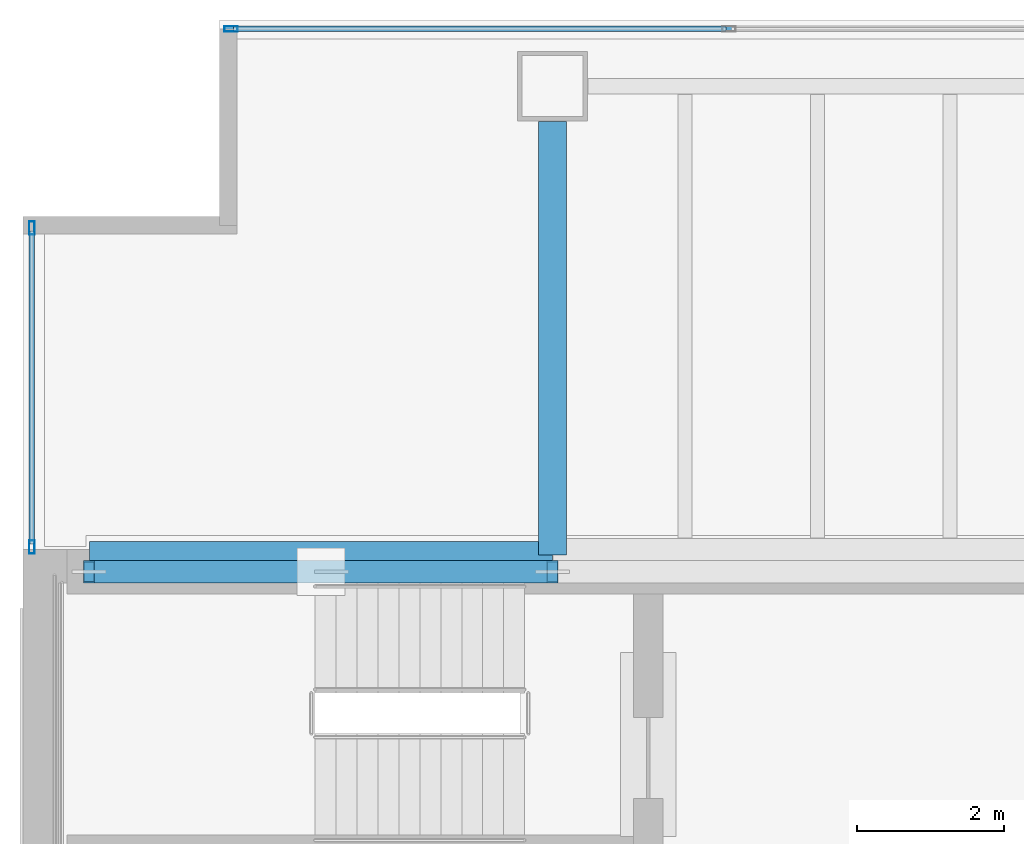
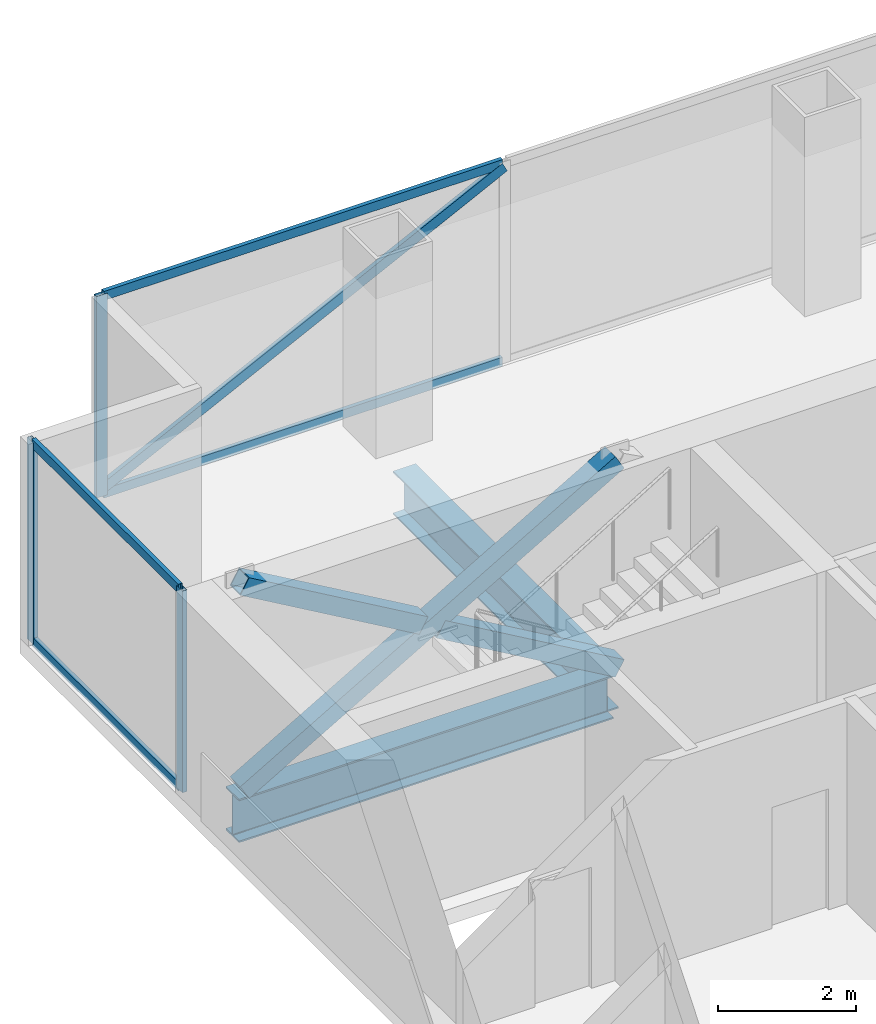
# One storey, part 16 of 23: 11 members, 2 beams, 2 elements without a shape of their own.
"""IFC4 building model written with IfcOpenShell, lengths in metres."""

from ifc_helpers import new_model, si_unit, direction, frame, origin, origin_2d, place, context, subcontext, project, spatial, hollow_rectangle, i_section, extrude, material, material_profile, profile_set, type_object, element, aggregate, save


model = new_model("IFC4")

# Units and contexts
model_context = context("Model", 3, precision=1e-05, world=origin(), true_north=direction((0.0, 1.0)))
body_context = subcontext(model_context, "Body", "Model", "MODEL_VIEW")
ifc_project = project(units=[si_unit("LENGTHUNIT", "METRE"), si_unit("AREAUNIT", "SQUARE_METRE"), si_unit("VOLUMEUNIT", "CUBIC_METRE"), si_unit("PLANEANGLEUNIT", "RADIAN"), si_unit("MASSUNIT", "GRAM", prefix="KILO")], contexts=[model_context])

# Site, building, storey
site_placement = place(None, origin())
site = spatial("IfcSite", under=ifc_project, at=site_placement, CompositionType="ELEMENT")
building_placement = place(site_placement, origin())
building = spatial("IfcBuilding", under=site, at=building_placement, Name="Cobrela Telecom Tower", CompositionType="ELEMENT")
storey_placement = place(building_placement, frame((0.0, 0.0, 102.199951171875)))
storey = spatial("IfcBuildingStorey", under=building, at=storey_placement, Name="L25", CompositionType="ELEMENT", Elevation=102.199951171875)

# Beams
ifc_material_1 = material(Name="Steel ASTM A992 Grade 50", Category="steel")
ifc_material_profile_1 = material_profile(ifc_material_1, i_section(OverallWidth=0.381103515625, OverallDepth=0.77197265625, WebThickness=0.0166015625, FlangeThickness=0.027099609375, FilletRadius=0.01904296875, at=origin_2d()), Name="W30X173")
ifc_profile_set_1 = profile_set([ifc_material_profile_1], Name="Steel ASTM A992 Grade 50")
beam_type = type_object("IfcBeamType", Name="BM-GIRD-04", PredefinedType="USERDEFINED", material=ifc_profile_set_1)
beam_1_placement = place(storey_placement, frame((0.905029296875, 35.919921875, -0.656005859375), z_axis=(1.0, 0.0, 0.0), x_axis=(0.0, 1.0, 0.0)))
element("IfcBeam", 1, at=beam_1_placement, inside=storey, type_object=beam_type, Name="L25 Primary Girder X25", ObjectType="GIRDER", PredefinedType="USERDEFINED", context=body_context, shape_type="SweptSolid", body=[
    extrude(i_section(OverallWidth=0.381103515625, OverallDepth=0.77197265625, WebThickness=0.0166015625, FlangeThickness=0.027099609375, FilletRadius=0.01904296875, at=origin_2d()), origin(), (0.0, 0.0, 1.0), 6.2900390625),
])
beam_2_placement = place(storey_placement, frame((7.199951171875, 35.925048828125, -0.656005859375), z_axis=(0.0, 1.0, 0.0), x_axis=(-1.0, 0.0, 0.0)))
element("IfcBeam", 2, at=beam_2_placement, inside=storey, type_object=beam_type, Name="L25 Primary Girder Y32", ObjectType="GIRDER", PredefinedType="USERDEFINED", context=body_context, shape_type="SweptSolid", body=[
    extrude(i_section(OverallWidth=0.381103515625, OverallDepth=0.77197265625, WebThickness=0.0166015625, FlangeThickness=0.027099609375, FilletRadius=0.01904296875, at=origin_2d()), origin(), (0.0, 0.0, 1.0), 5.89501953125),
])

# Curtain wall, members
ifc_material_2 = material(Name="Anodized Bronze Aluminium 6063-T6", Category="aluminium")
curtain_wall_type = type_object("IfcCurtainWallType", Name="CW-SYS-TEL", PredefinedType="USERDEFINED", material=ifc_material_2)
curtain_wall_1_placement = place(storey_placement, origin())
curtain_wall_1 = element("IfcCurtainWall", 3, at=curtain_wall_1_placement, inside=storey, type_object=curtain_wall_type, Name="L25 Unitised Bronze Curtain Wall 04", ObjectType="UNITISED CURTAIN WALL", PredefinedType="USERDEFINED")
ifc_material_profile_2 = material_profile(ifc_material_2, hollow_rectangle(XDim=0.074951171875, YDim=0.179931640625, WallThickness=0.00390625, at=origin_2d()), Name="ALU 75x180x4")
ifc_profile_set_2 = profile_set([ifc_material_profile_2], Name="Anodized Bronze Aluminium 6063-T6")
member_type_1 = type_object("IfcMemberType", Name="CW-SYS-TEL-MUL", PredefinedType="MULLION", material=ifc_profile_set_2)
member_1_placement = place(storey_placement, frame((0.1201171875, 36.03759765625, 0.0), z_axis=(0.0, 0.0, 1.0), x_axis=(-1.0, 0.0, 0.0)))
member_1 = element("IfcMember", 4, at=member_1_placement, type_object=member_type_1, Name="CW-TEL mullion 1", PredefinedType="MULLION", context=body_context, shape_type="SweptSolid", body=[
    extrude(hollow_rectangle(XDim=0.074951171875, YDim=0.179931640625, WallThickness=0.00390625, at=origin_2d()), origin(), (0.0, 0.0, 1.0), 3.580078125),
])
member_2_placement = place(storey_placement, frame((0.1201171875, 40.37255859375, 0.0), z_axis=(0.0, 0.0, 1.0), x_axis=(-1.0, 0.0, 0.0)))
member_2 = element("IfcMember", 5, at=member_2_placement, type_object=member_type_1, Name="CW-TEL mullion 2", PredefinedType="MULLION", context=body_context, shape_type="SweptSolid", body=[
    extrude(hollow_rectangle(XDim=0.074951171875, YDim=0.179931640625, WallThickness=0.00390625, at=origin_2d()), origin(), (0.0, 0.0, 1.0), 3.580078125),
])

curtain_wall_2_placement = place(storey_placement, origin())
curtain_wall_2 = element("IfcCurtainWall", 6, at=curtain_wall_2_placement, inside=storey, type_object=curtain_wall_type, Name="L25 Unitised Bronze Curtain Wall 07", ObjectType="UNITISED CURTAIN WALL", PredefinedType="USERDEFINED")
member_3_placement = place(storey_placement, frame((2.827392578125, 43.080078125, 0.0), z_axis=(0.0, 0.0, 1.0), x_axis=(0.0, 1.0, 0.0)))
member_3 = element("IfcMember", 7, at=member_3_placement, type_object=member_type_1, Name="CW-TEL mullion 1", PredefinedType="MULLION", context=body_context, shape_type="SweptSolid", body=[
    extrude(hollow_rectangle(XDim=0.074951171875, YDim=0.179931640625, WallThickness=0.00390625, at=origin_2d()), origin(), (0.0, 0.0, 1.0), 3.580078125),
])
member_4_placement = place(storey_placement, frame((2.7900390625, 43.080078125, 0.10009765625), z_axis=(0.895657405206, 0.0, 0.444744659888), x_axis=(0.0, 1.0, 0.0)))
member_4 = element("IfcMember", 8, at=member_4_placement, type_object=member_type_1, Name="L25 Faceted Curtain Wall Diagonal Glazing Mullion", PredefinedType="MULLION", context=body_context, shape_type="SweptSolid", body=[
    extrude(hollow_rectangle(XDim=0.074951171875, YDim=0.179931640625, WallThickness=0.00390625, at=origin_2d()), origin(), (0.0, 0.0, 1.0), 7.599609375),
])

# Member
ifc_material_profile_3 = material_profile(ifc_material_2, hollow_rectangle(XDim=0.070068359375, YDim=0.159912109375, WallThickness=0.00390625, at=origin_2d()), Name="ALU 70x160x4")
ifc_profile_set_3 = profile_set([ifc_material_profile_3], Name="Anodized Bronze Aluminium 6063-T6")
member_type_2 = type_object("IfcMemberType", Name="CW-SYS-TEL-TRN", PredefinedType="USERDEFINED", material=ifc_profile_set_3)
member_5_placement = place(storey_placement, frame((0.1201171875, 36.074951171875, 0.03515625), z_axis=(0.0, 1.0, 0.0), x_axis=(-1.0, 0.0, 0.0)))
member_5 = element("IfcMember", 9, at=member_5_placement, type_object=member_type_2, Name="CW-TEL transom 1.1", ObjectType="TRANSOM", PredefinedType="USERDEFINED", context=body_context, shape_type="SweptSolid", body=[
    extrude(hollow_rectangle(XDim=0.070068359375, YDim=0.159912109375, WallThickness=0.00390625, at=origin_2d()), origin(), (0.0, 0.0, 1.0), 4.260009765625),
])

member_6_placement = place(storey_placement, frame((0.1201171875, 36.074951171875, 3.545166015625), z_axis=(0.0, 1.0, 0.0), x_axis=(-1.0, 0.0, 0.0)))
member_6 = element("IfcMember", 10, at=member_6_placement, type_object=member_type_2, Name="CW-TEL transom 1.2", ObjectType="TRANSOM", PredefinedType="USERDEFINED", context=body_context, shape_type="SweptSolid", body=[
    extrude(hollow_rectangle(XDim=0.070068359375, YDim=0.159912109375, WallThickness=0.00390625, at=origin_2d()), origin(), (0.0, 0.0, 1.0), 4.260009765625),
])

aggregate(curtain_wall_1, [member_1, member_2, member_5, member_6])

member_7_placement = place(storey_placement, frame((2.864990234375, 43.080078125, 0.03515625), z_axis=(1.0, 0.0, 0.0), x_axis=(0.0, 1.0, 0.0)))
member_7 = element("IfcMember", 11, at=member_7_placement, type_object=member_type_2, Name="CW-TEL transom 1.1", ObjectType="TRANSOM", PredefinedType="USERDEFINED", context=body_context, shape_type="SweptSolid", body=[
    extrude(hollow_rectangle(XDim=0.070068359375, YDim=0.159912109375, WallThickness=0.00390625, at=origin_2d()), origin(), (0.0, 0.0, 1.0), 6.694091796875),
])

member_8_placement = place(storey_placement, frame((2.864990234375, 43.080078125, 3.545166015625), z_axis=(1.0, 0.0, 0.0), x_axis=(0.0, 1.0, 0.0)))
member_8 = element("IfcMember", 12, at=member_8_placement, type_object=member_type_2, Name="CW-TEL transom 1.2", ObjectType="TRANSOM", PredefinedType="USERDEFINED", context=body_context, shape_type="SweptSolid", body=[
    extrude(hollow_rectangle(XDim=0.070068359375, YDim=0.159912109375, WallThickness=0.00390625, at=origin_2d()), origin(), (0.0, 0.0, 1.0), 6.694091796875),
])

aggregate(curtain_wall_2, [member_3, member_7, member_8, member_4])

# Members
ifc_material_3 = material(Name="Steel ASTM A572 Grade 50", Category="steel")
ifc_material_profile_4 = material_profile(ifc_material_3, hollow_rectangle(XDim=0.300048828125, YDim=0.300048828125, WallThickness=0.01611328125, at=origin_2d()), Name="HSS 300x300x16")
ifc_profile_set_4 = profile_set([ifc_material_profile_4], Name="Steel ASTM A572 Grade 50")
member_type_3 = type_object("IfcMemberType", Name="MBR-EXO-03", PredefinedType="BRACE", material=ifc_profile_set_4)
member_9_placement = place(storey_placement, frame((0.89990234375, 35.699951171875, -0.0400390625), z_axis=(0.864665946149, 0.0, 0.502347291791), x_axis=(0.0, 1.0, 0.0)))
element("IfcMember", 13, at=member_9_placement, inside=storey, type_object=member_type_3, Name="L25 Core Flange Steel X-Brace Continuous A", PredefinedType="BRACE", context=body_context, shape_type="SweptSolid", body=[
    extrude(hollow_rectangle(XDim=0.300048828125, YDim=0.300048828125, WallThickness=0.01611328125, at=origin_2d()), origin(), (0.0, 0.0, 1.0), 7.2861328125),
])
member_10_placement = place(storey_placement, frame((7.199951171875, 35.699951171875, -0.0400390625), z_axis=(-0.864666885148, 0.0, 0.502345675535), x_axis=(0.0, -1.0, 0.0)))
element("IfcMember", 14, at=member_10_placement, inside=storey, type_object=member_type_3, Name="L25 Core Flange Steel X-Brace Split B1", PredefinedType="BRACE", context=body_context, shape_type="SweptSolid", body=[
    extrude(hollow_rectangle(XDim=0.300048828125, YDim=0.300048828125, WallThickness=0.01611328125, at=origin_2d()), origin(), (0.0, 0.0, 1.0), 3.474853515625),
])
member_11_placement = place(storey_placement, frame((3.90478515625, 35.699951171875, 1.87451171875), z_axis=(-0.864684613256, 0.0, 0.502315159634), x_axis=(0.0, -1.0, 0.0)))
element("IfcMember", 15, at=member_11_placement, inside=storey, type_object=member_type_3, Name="L25 Core Flange Steel X-Brace Split B2", PredefinedType="BRACE", context=body_context, shape_type="SweptSolid", body=[
    extrude(hollow_rectangle(XDim=0.300048828125, YDim=0.300048828125, WallThickness=0.01611328125, at=origin_2d()), origin(), (0.0, 0.0, 1.0), 3.47509765625),
])

save(model, "model.ifc")
